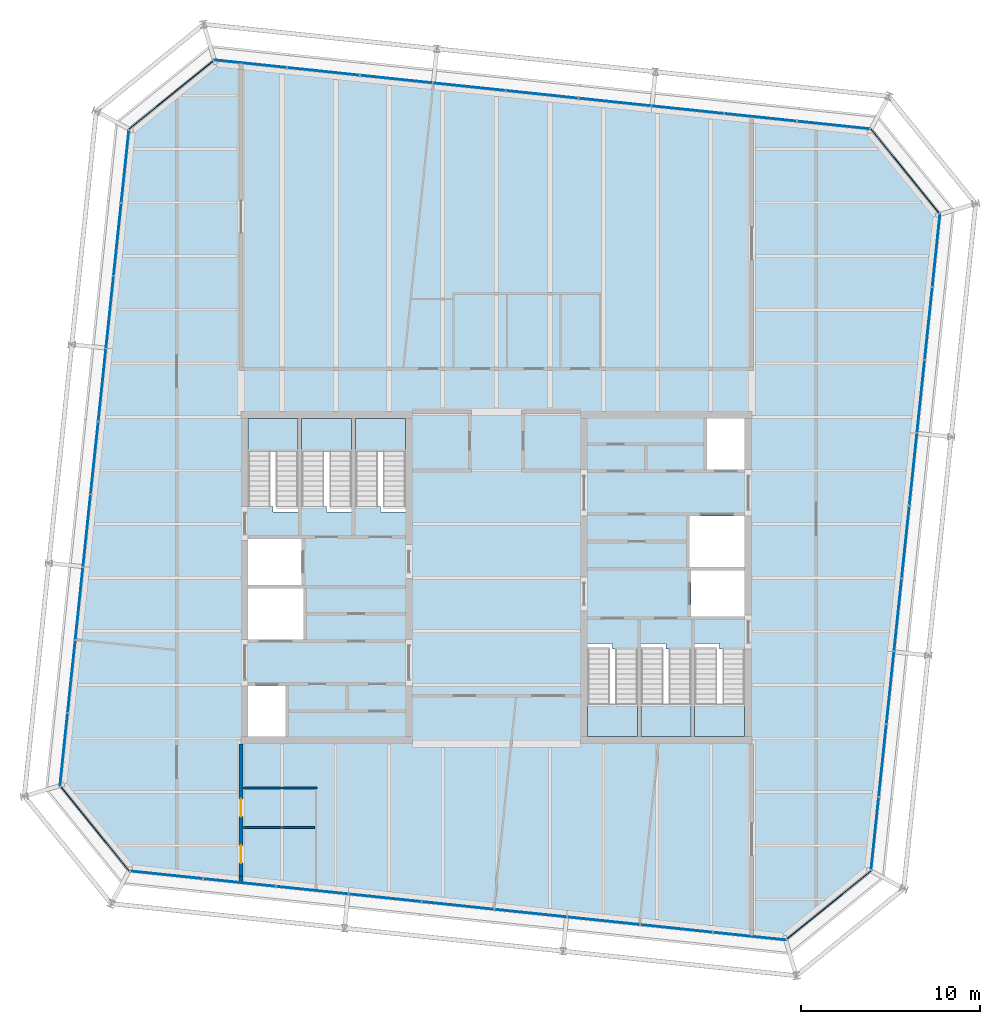
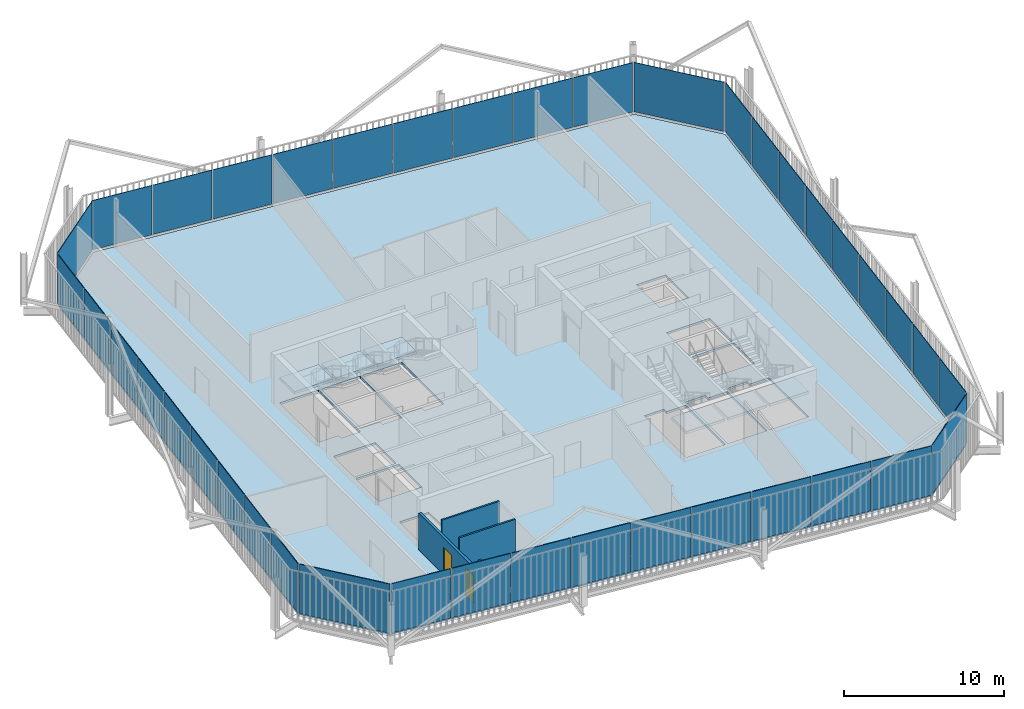
# One storey, part 16 of 21: 40 plates, 7 slabs, 4 walls, 2 doors, 2 openings, 14 elements without a shape of their own.
"""IFC4 building model written with IfcOpenShell, lengths in metres."""

from ifc_helpers import new_model, si_unit, direction, frame, frame_2d, origin, place, context, subcontext, project, spatial, polyline, rectangle, outline, extrude, material, layer, layer_set, type_object, element, fill, aggregate, save


model = new_model("IFC4")

# Units and contexts
model_context = context("Model", 3, precision=1e-05, world=origin(), true_north=direction((0.0, 1.0)))
body_context = subcontext(model_context, "Body", "Model", "MODEL_VIEW")
ifc_project = project(units=[si_unit("LENGTHUNIT", "METRE"), si_unit("AREAUNIT", "SQUARE_METRE"), si_unit("VOLUMEUNIT", "CUBIC_METRE"), si_unit("PLANEANGLEUNIT", "RADIAN"), si_unit("MASSUNIT", "GRAM", prefix="KILO")], contexts=[model_context])

# Site, building, storey
site_placement = place(None, origin())
site = spatial("IfcSite", under=ifc_project, at=site_placement, CompositionType="ELEMENT")
building_placement = place(site_placement, origin())
building = spatial("IfcBuilding", under=site, at=building_placement, Name="Millrace Tower", CompositionType="ELEMENT")
storey_placement = place(building_placement, frame((0.0, 0.0, 318.699951171875)))
storey = spatial("IfcBuildingStorey", under=building, at=storey_placement, Name="L73", CompositionType="ELEMENT", Elevation=318.699951171875)

# Curtain wall, plate
ifc_material_1 = material(Name="Aluminium and glass", Category="aluminium")
ifc_layer_1 = layer(ifc_material_1, 0.14990234375)
ifc_layer_set_1 = layer_set([ifc_layer_1], Name="Aluminium and glass")
curtain_wall_type = type_object("IfcCurtainWallType", Name="CW-1 office vision curtain wall", PredefinedType="NOTDEFINED", material=ifc_layer_set_1)
placement_1 = place(storey_placement, origin())
curtain_wall_1 = element("IfcCurtainWall", 1, at=placement_1, inside=storey, type_object=curtain_wall_type, Name="Curtain wall E-F01 L73", PredefinedType="NOTDEFINED")
ifc_material_2 = material(Name="Glass", Category="glass")
ifc_layer_2 = layer(ifc_material_2, 0.0439453125)
ifc_layer_set_2 = layer_set([ifc_layer_2], Name="Glass")
plate_type = type_object("IfcPlateType", Name="CW-1 office vision curtain wall triple-glazed vision panel", PredefinedType="CURTAIN_PANEL", material=ifc_layer_set_2)
placement_2 = place(storey_placement, frame((0.0, 0.0, 0.14013671875)))
plate_1 = element("IfcPlate", 2, at=placement_2, type_object=plate_type, Name="CW1 panel E-F01.1", PredefinedType="CURTAIN_PANEL", context=body_context, shape_type="SweptSolid", body=[
    extrude(outline(polyline([(-24.388427734375, -11.732421875), (-20.5771484375, -16.439208984375), (-20.554443359375, -16.397216796875), (-24.354248046875, -11.704833984375), (-24.388427734375, -11.732421875)])), origin(), (0.0, 0.0, 1.0), 3.760009765625),
])
aggregate(curtain_wall_1, [plate_1])

# Curtain wall, plates
curtain_wall_2 = element("IfcCurtainWall", 3, at=placement_1, inside=storey, type_object=curtain_wall_type, Name="Curtain wall E-F02 L73", PredefinedType="NOTDEFINED")
plate_2 = element("IfcPlate", 4, at=placement_2, type_object=plate_type, Name="CW1 panel E-F02.1", PredefinedType="CURTAIN_PANEL", context=body_context, shape_type="SweptSolid", body=[
    extrude(outline(polyline([(-20.472412109375, -16.4501953125), (-16.45947265625, -16.871826171875), (-16.454833984375, -16.828125), (-20.4677734375, -16.40625), (-20.472412109375, -16.4501953125)])), origin(), (0.0, 0.0, 1.0), 3.760009765625),
])
plate_3 = element("IfcPlate", 5, at=placement_2, type_object=plate_type, Name="CW1 panel E-F02.2", PredefinedType="CURTAIN_PANEL", context=body_context, shape_type="SweptSolid", body=[
    extrude(outline(polyline([(-16.39501953125, -16.878662109375), (-12.382080078125, -17.300537109375), (-12.37744140625, -17.256591796875), (-16.390380859375, -16.8349609375), (-16.39501953125, -16.878662109375)])), origin(), (0.0, 0.0, 1.0), 3.760009765625),
])
plate_4 = element("IfcPlate", 6, at=placement_2, type_object=plate_type, Name="CW1 panel E-F02.3", PredefinedType="CURTAIN_PANEL", context=body_context, shape_type="SweptSolid", body=[
    extrude(outline(polyline([(-12.3173828125, -17.30712890625), (-8.304443359375, -17.72900390625), (-8.2998046875, -17.685302734375), (-12.312744140625, -17.263427734375), (-12.3173828125, -17.30712890625)])), origin(), (0.0, 0.0, 1.0), 3.760009765625),
])
plate_5 = element("IfcPlate", 7, at=placement_2, type_object=plate_type, Name="CW1 panel E-F02.4", PredefinedType="CURTAIN_PANEL", context=body_context, shape_type="SweptSolid", body=[
    extrude(outline(polyline([(-8.23974609375, -17.73583984375), (-4.22705078125, -18.157470703125), (-4.222412109375, -18.11376953125), (-8.235107421875, -17.692138671875), (-8.23974609375, -17.73583984375)])), origin(), (0.0, 0.0, 1.0), 3.760009765625),
])
plate_6 = element("IfcPlate", 8, at=placement_2, type_object=plate_type, Name="CW1 panel E-F02.5", PredefinedType="CURTAIN_PANEL", context=body_context, shape_type="SweptSolid", body=[
    extrude(outline(polyline([(-4.162353515625, -18.164306640625), (-0.1494140625, -18.586181640625), (-0.144775390625, -18.54248046875), (-4.15771484375, -18.12060546875), (-4.162353515625, -18.164306640625)])), origin(), (0.0, 0.0, 1.0), 3.760009765625),
])
plate_7 = element("IfcPlate", 9, at=placement_2, type_object=plate_type, Name="CW1 panel E-F02.6", PredefinedType="CURTAIN_PANEL", context=body_context, shape_type="SweptSolid", body=[
    extrude(outline(polyline([(-0.084716796875, -18.593017578125), (3.92822265625, -19.0146484375), (3.932861328125, -18.970947265625), (-0.080078125, -18.549072265625), (-0.084716796875, -18.593017578125)])), origin(), (0.0, 0.0, 1.0), 3.760009765625),
])
plate_8 = element("IfcPlate", 10, at=placement_2, type_object=plate_type, Name="CW1 panel E-F02.7", PredefinedType="CURTAIN_PANEL", context=body_context, shape_type="SweptSolid", body=[
    extrude(outline(polyline([(3.99267578125, -19.021484375), (8.005615234375, -19.443359375), (8.01025390625, -19.3994140625), (3.997314453125, -18.977783203125), (3.99267578125, -19.021484375)])), origin(), (0.0, 0.0, 1.0), 3.760009765625),
])
plate_9 = element("IfcPlate", 11, at=placement_2, type_object=plate_type, Name="CW1 panel E-F02.8", PredefinedType="CURTAIN_PANEL", context=body_context, shape_type="SweptSolid", body=[
    extrude(outline(polyline([(8.0703125, -19.449951171875), (12.083251953125, -19.871826171875), (12.087890625, -19.828125), (8.074951171875, -19.40625), (8.0703125, -19.449951171875)])), origin(), (0.0, 0.0, 1.0), 3.760009765625),
])
plate_10 = element("IfcPlate", 12, at=placement_2, type_object=plate_type, Name="CW1 panel E-F02.9", PredefinedType="CURTAIN_PANEL", context=body_context, shape_type="SweptSolid", body=[
    extrude(outline(polyline([(12.14794921875, -19.878662109375), (16.20068359375, -20.3046875), (16.187255859375, -20.259033203125), (12.152587890625, -19.8349609375), (12.14794921875, -19.878662109375)])), origin(), (0.0, 0.0, 1.0), 3.760009765625),
])
aggregate(curtain_wall_2, [plate_2, plate_3, plate_4, plate_5, plate_6, plate_7, plate_8, plate_9, plate_10])

# Curtain wall, plate
curtain_wall_3 = element("IfcCurtainWall", 13, at=placement_1, inside=storey, type_object=curtain_wall_type, Name="Curtain wall E-F03 L73", PredefinedType="NOTDEFINED")
plate_11 = element("IfcPlate", 14, at=placement_2, type_object=plate_type, Name="CW1 panel E-F03.1", PredefinedType="CURTAIN_PANEL", context=body_context, shape_type="SweptSolid", body=[
    extrude(outline(polyline([(16.282470703125, -20.23828125), (20.989013671875, -16.427001953125), (20.947265625, -16.404296875), (16.2548828125, -20.2041015625), (16.282470703125, -20.23828125)])), origin(), (0.0, 0.0, 1.0), 3.760009765625),
])
aggregate(curtain_wall_3, [plate_11])

# Curtain wall, plates
curtain_wall_4 = element("IfcCurtainWall", 15, at=placement_1, inside=storey, type_object=curtain_wall_type, Name="Curtain wall E-F04 L73", PredefinedType="NOTDEFINED")
plate_12 = element("IfcPlate", 16, at=placement_2, type_object=plate_type, Name="CW1 panel E-F04.1", PredefinedType="CURTAIN_PANEL", context=body_context, shape_type="SweptSolid", body=[
    extrude(outline(polyline([(21.0, -16.322509765625), (21.421875, -12.3095703125), (21.378173828125, -12.304931640625), (20.956298828125, -16.31787109375), (21.0, -16.322509765625)])), origin(), (0.0, 0.0, 1.0), 3.760009765625),
])
plate_13 = element("IfcPlate", 17, at=placement_2, type_object=plate_type, Name="CW1 panel E-F04.2", PredefinedType="CURTAIN_PANEL", context=body_context, shape_type="SweptSolid", body=[
    extrude(outline(polyline([(21.4287109375, -12.244873046875), (21.850341796875, -8.23193359375), (21.806640625, -8.227294921875), (21.385009765625, -12.240234375), (21.4287109375, -12.244873046875)])), origin(), (0.0, 0.0, 1.0), 3.760009765625),
])
plate_14 = element("IfcPlate", 18, at=placement_2, type_object=plate_type, Name="CW1 panel E-F04.3", PredefinedType="CURTAIN_PANEL", context=body_context, shape_type="SweptSolid", body=[
    extrude(outline(polyline([(21.857177734375, -8.16748046875), (22.279052734375, -4.154541015625), (22.2353515625, -4.14990234375), (21.8134765625, -8.162841796875), (21.857177734375, -8.16748046875)])), origin(), (0.0, 0.0, 1.0), 3.760009765625),
])
plate_15 = element("IfcPlate", 19, at=placement_2, type_object=plate_type, Name="CW1 panel E-F04.4", PredefinedType="CURTAIN_PANEL", context=body_context, shape_type="SweptSolid", body=[
    extrude(outline(polyline([(22.285888671875, -4.08984375), (22.70751953125, -0.076904296875), (22.663818359375, -0.072265625), (22.241943359375, -4.085205078125), (22.285888671875, -4.08984375)])), origin(), (0.0, 0.0, 1.0), 3.760009765625),
])
plate_16 = element("IfcPlate", 20, at=placement_2, type_object=plate_type, Name="CW1 panel E-F04.5", PredefinedType="CURTAIN_PANEL", context=body_context, shape_type="SweptSolid", body=[
    extrude(outline(polyline([(22.71435546875, -0.01220703125), (23.13623046875, 4.00048828125), (23.09228515625, 4.005126953125), (22.670654296875, -0.007568359375), (22.71435546875, -0.01220703125)])), origin(), (0.0, 0.0, 1.0), 3.760009765625),
])
plate_17 = element("IfcPlate", 21, at=placement_2, type_object=plate_type, Name="CW1 panel E-F04.6", PredefinedType="CURTAIN_PANEL", context=body_context, shape_type="SweptSolid", body=[
    extrude(outline(polyline([(23.142822265625, 4.065185546875), (23.564697265625, 8.078125), (23.52099609375, 8.082763671875), (23.09912109375, 4.06982421875), (23.142822265625, 4.065185546875)])), origin(), (0.0, 0.0, 1.0), 3.760009765625),
])
plate_18 = element("IfcPlate", 22, at=placement_2, type_object=plate_type, Name="CW1 panel E-F04.7", PredefinedType="CURTAIN_PANEL", context=body_context, shape_type="SweptSolid", body=[
    extrude(outline(polyline([(23.571533203125, 8.142822265625), (23.9931640625, 12.15576171875), (23.949462890625, 12.160400390625), (23.52783203125, 8.1474609375), (23.571533203125, 8.142822265625)])), origin(), (0.0, 0.0, 1.0), 3.760009765625),
])
plate_19 = element("IfcPlate", 23, at=placement_2, type_object=plate_type, Name="CW1 panel E-F04.8", PredefinedType="CURTAIN_PANEL", context=body_context, shape_type="SweptSolid", body=[
    extrude(outline(polyline([(24.0, 12.22021484375), (24.421875, 16.233154296875), (24.378173828125, 16.23779296875), (23.956298828125, 12.224853515625), (24.0, 12.22021484375)])), origin(), (0.0, 0.0, 1.0), 3.760009765625),
])
plate_20 = element("IfcPlate", 24, at=placement_2, type_object=plate_type, Name="CW1 panel E-F04.9", PredefinedType="CURTAIN_PANEL", context=body_context, shape_type="SweptSolid", body=[
    extrude(outline(polyline([(24.4287109375, 16.2978515625), (24.8544921875, 20.350830078125), (24.808837890625, 20.337158203125), (24.384765625, 16.302490234375), (24.4287109375, 16.2978515625)])), origin(), (0.0, 0.0, 1.0), 3.760009765625),
])
aggregate(curtain_wall_4, [plate_12, plate_13, plate_14, plate_15, plate_16, plate_17, plate_18, plate_19, plate_20])

# Curtain wall, plate
curtain_wall_5 = element("IfcCurtainWall", 25, at=placement_1, inside=storey, type_object=curtain_wall_type, Name="Curtain wall E-F05 L73", PredefinedType="NOTDEFINED")
plate_21 = element("IfcPlate", 26, at=placement_2, type_object=plate_type, Name="CW1 panel E-F05.1", PredefinedType="CURTAIN_PANEL", context=body_context, shape_type="SweptSolid", body=[
    extrude(outline(polyline([(24.788330078125, 20.432373046875), (20.97705078125, 25.13916015625), (20.954345703125, 25.09716796875), (24.754150390625, 20.40478515625), (24.788330078125, 20.432373046875)])), origin(), (0.0, 0.0, 1.0), 3.760009765625),
])
aggregate(curtain_wall_5, [plate_21])

# Curtain wall, plates
curtain_wall_6 = element("IfcCurtainWall", 27, at=placement_1, inside=storey, type_object=curtain_wall_type, Name="Curtain wall E-F06 L73", PredefinedType="NOTDEFINED")
plate_22 = element("IfcPlate", 28, at=placement_2, type_object=plate_type, Name="CW1 panel E-F06.1", PredefinedType="CURTAIN_PANEL", context=body_context, shape_type="SweptSolid", body=[
    extrude(outline(polyline([(20.87255859375, 25.150146484375), (16.859619140625, 25.57177734375), (16.85498046875, 25.528076171875), (20.867919921875, 25.1064453125), (20.87255859375, 25.150146484375)])), origin(), (0.0, 0.0, 1.0), 3.760009765625),
])
plate_23 = element("IfcPlate", 29, at=placement_2, type_object=plate_type, Name="CW1 panel E-F06.2", PredefinedType="CURTAIN_PANEL", context=body_context, shape_type="SweptSolid", body=[
    extrude(outline(polyline([(16.794921875, 25.57861328125), (12.781982421875, 26.00048828125), (12.77734375, 25.956787109375), (16.790283203125, 25.534912109375), (16.794921875, 25.57861328125)])), origin(), (0.0, 0.0, 1.0), 3.760009765625),
])
plate_24 = element("IfcPlate", 30, at=placement_2, type_object=plate_type, Name="CW1 panel E-F06.3", PredefinedType="CURTAIN_PANEL", context=body_context, shape_type="SweptSolid", body=[
    extrude(outline(polyline([(12.71728515625, 26.00732421875), (8.70458984375, 26.428955078125), (8.699951171875, 26.38525390625), (12.712646484375, 25.96337890625), (12.71728515625, 26.00732421875)])), origin(), (0.0, 0.0, 1.0), 3.760009765625),
])
plate_25 = element("IfcPlate", 31, at=placement_2, type_object=plate_type, Name="CW1 panel E-F06.4", PredefinedType="CURTAIN_PANEL", context=body_context, shape_type="SweptSolid", body=[
    extrude(outline(polyline([(8.639892578125, 26.435791015625), (4.626953125, 26.857666015625), (4.622314453125, 26.813720703125), (8.63525390625, 26.39208984375), (8.639892578125, 26.435791015625)])), origin(), (0.0, 0.0, 1.0), 3.760009765625),
])
plate_26 = element("IfcPlate", 32, at=placement_2, type_object=plate_type, Name="CW1 panel E-F06.5", PredefinedType="CURTAIN_PANEL", context=body_context, shape_type="SweptSolid", body=[
    extrude(outline(polyline([(4.562255859375, 26.8642578125), (0.54931640625, 27.2861328125), (0.544677734375, 27.242431640625), (4.5576171875, 26.820556640625), (4.562255859375, 26.8642578125)])), origin(), (0.0, 0.0, 1.0), 3.760009765625),
])
plate_27 = element("IfcPlate", 33, at=placement_2, type_object=plate_type, Name="CW1 panel E-F06.6", PredefinedType="CURTAIN_PANEL", context=body_context, shape_type="SweptSolid", body=[
    extrude(outline(polyline([(0.48486328125, 27.29296875), (-3.528076171875, 27.714599609375), (-3.53271484375, 27.6708984375), (0.480224609375, 27.249267578125), (0.48486328125, 27.29296875)])), origin(), (0.0, 0.0, 1.0), 3.760009765625),
])
plate_28 = element("IfcPlate", 34, at=placement_2, type_object=plate_type, Name="CW1 panel E-F06.7", PredefinedType="CURTAIN_PANEL", context=body_context, shape_type="SweptSolid", body=[
    extrude(outline(polyline([(-3.5927734375, 27.721435546875), (-7.605712890625, 28.143310546875), (-7.6103515625, 28.099609375), (-3.597412109375, 27.677734375), (-3.5927734375, 27.721435546875)])), origin(), (0.0, 0.0, 1.0), 3.760009765625),
])
plate_29 = element("IfcPlate", 35, at=placement_2, type_object=plate_type, Name="CW1 panel E-F06.8", PredefinedType="CURTAIN_PANEL", context=body_context, shape_type="SweptSolid", body=[
    extrude(outline(polyline([(-7.67041015625, 28.150146484375), (-11.68310546875, 28.57177734375), (-11.687744140625, 28.528076171875), (-7.675048828125, 28.106201171875), (-7.67041015625, 28.150146484375)])), origin(), (0.0, 0.0, 1.0), 3.760009765625),
])
plate_30 = element("IfcPlate", 36, at=placement_2, type_object=plate_type, Name="CW1 panel E-F06.9", PredefinedType="CURTAIN_PANEL", context=body_context, shape_type="SweptSolid", body=[
    extrude(outline(polyline([(-11.747802734375, 28.57861328125), (-15.80078125, 29.004638671875), (-15.787109375, 28.958984375), (-11.75244140625, 28.534912109375), (-11.747802734375, 28.57861328125)])), origin(), (0.0, 0.0, 1.0), 3.760009765625),
])
aggregate(curtain_wall_6, [plate_22, plate_23, plate_24, plate_25, plate_26, plate_27, plate_28, plate_29, plate_30])

# Curtain wall, plate
curtain_wall_7 = element("IfcCurtainWall", 37, at=placement_1, inside=storey, type_object=curtain_wall_type, Name="Curtain wall E-F07 L73", PredefinedType="NOTDEFINED")
plate_31 = element("IfcPlate", 38, at=placement_2, type_object=plate_type, Name="CW1 panel E-F07.1", PredefinedType="CURTAIN_PANEL", context=body_context, shape_type="SweptSolid", body=[
    extrude(outline(polyline([(-15.882568359375, 28.9384765625), (-20.589111328125, 25.126953125), (-20.547119140625, 25.104248046875), (-15.854736328125, 28.904296875), (-15.882568359375, 28.9384765625)])), origin(), (0.0, 0.0, 1.0), 3.760009765625),
])
aggregate(curtain_wall_7, [plate_31])

# Curtain wall, plates
curtain_wall_8 = element("IfcCurtainWall", 39, at=placement_1, inside=storey, type_object=curtain_wall_type, Name="Curtain wall E-F08 L73", PredefinedType="NOTDEFINED")
plate_32 = element("IfcPlate", 40, at=placement_2, type_object=plate_type, Name="CW1 panel E-F08.1", PredefinedType="CURTAIN_PANEL", context=body_context, shape_type="SweptSolid", body=[
    extrude(outline(polyline([(-20.60009765625, 25.0224609375), (-21.02197265625, 21.009521484375), (-20.97802734375, 21.0048828125), (-20.556396484375, 25.017822265625), (-20.60009765625, 25.0224609375)])), origin(), (0.0, 0.0, 1.0), 3.760009765625),
])
plate_33 = element("IfcPlate", 41, at=placement_2, type_object=plate_type, Name="CW1 panel E-F08.2", PredefinedType="CURTAIN_PANEL", context=body_context, shape_type="SweptSolid", body=[
    extrude(outline(polyline([(-21.028564453125, 20.94482421875), (-21.450439453125, 16.93212890625), (-21.40673828125, 16.927490234375), (-20.98486328125, 20.9404296875), (-21.028564453125, 20.94482421875)])), origin(), (0.0, 0.0, 1.0), 3.760009765625),
])
plate_34 = element("IfcPlate", 42, at=placement_2, type_object=plate_type, Name="CW1 panel E-F08.3", PredefinedType="CURTAIN_PANEL", context=body_context, shape_type="SweptSolid", body=[
    extrude(outline(polyline([(-21.457275390625, 16.867431640625), (-21.87890625, 12.8544921875), (-21.835205078125, 12.849853515625), (-21.41357421875, 16.86279296875), (-21.457275390625, 16.867431640625)])), origin(), (0.0, 0.0, 1.0), 3.760009765625),
])
plate_35 = element("IfcPlate", 43, at=placement_2, type_object=plate_type, Name="CW1 panel E-F08.4", PredefinedType="CURTAIN_PANEL", context=body_context, shape_type="SweptSolid", body=[
    extrude(outline(polyline([(-21.8857421875, 12.789794921875), (-22.3076171875, 8.77685546875), (-22.263916015625, 8.772216796875), (-21.842041015625, 12.78515625), (-21.8857421875, 12.789794921875)])), origin(), (0.0, 0.0, 1.0), 3.760009765625),
])
plate_36 = element("IfcPlate", 44, at=placement_2, type_object=plate_type, Name="CW1 panel E-F08.5", PredefinedType="CURTAIN_PANEL", context=body_context, shape_type="SweptSolid", body=[
    extrude(outline(polyline([(-22.314453125, 8.71240234375), (-22.736083984375, 4.699462890625), (-22.6923828125, 4.69482421875), (-22.2705078125, 8.707763671875), (-22.314453125, 8.71240234375)])), origin(), (0.0, 0.0, 1.0), 3.760009765625),
])
plate_37 = element("IfcPlate", 45, at=placement_2, type_object=plate_type, Name="CW1 panel E-F08.6", PredefinedType="CURTAIN_PANEL", context=body_context, shape_type="SweptSolid", body=[
    extrude(outline(polyline([(-22.742919921875, 4.634765625), (-23.164794921875, 0.621826171875), (-23.120849609375, 0.6171875), (-22.69921875, 4.630126953125), (-22.742919921875, 4.634765625)])), origin(), (0.0, 0.0, 1.0), 3.760009765625),
])
plate_38 = element("IfcPlate", 46, at=placement_2, type_object=plate_type, Name="CW1 panel E-F08.7", PredefinedType="CURTAIN_PANEL", context=body_context, shape_type="SweptSolid", body=[
    extrude(outline(polyline([(-23.17138671875, 0.55712890625), (-23.59326171875, -3.45556640625), (-23.549560546875, -3.460205078125), (-23.127685546875, 0.552490234375), (-23.17138671875, 0.55712890625)])), origin(), (0.0, 0.0, 1.0), 3.760009765625),
])
plate_39 = element("IfcPlate", 47, at=placement_2, type_object=plate_type, Name="CW1 panel E-F08.8", PredefinedType="CURTAIN_PANEL", context=body_context, shape_type="SweptSolid", body=[
    extrude(outline(polyline([(-23.60009765625, -3.520263671875), (-24.021728515625, -7.533203125), (-23.97802734375, -7.537841796875), (-23.556396484375, -3.52490234375), (-23.60009765625, -3.520263671875)])), origin(), (0.0, 0.0, 1.0), 3.760009765625),
])
plate_40 = element("IfcPlate", 48, at=placement_2, type_object=plate_type, Name="CW1 panel E-F08.9", PredefinedType="CURTAIN_PANEL", context=body_context, shape_type="SweptSolid", body=[
    extrude(outline(polyline([(-24.028564453125, -7.597900390625), (-24.45458984375, -11.650634765625), (-24.408935546875, -11.63720703125), (-23.98486328125, -7.6025390625), (-24.028564453125, -7.597900390625)])), origin(), (0.0, 0.0, 1.0), 3.760009765625),
])
aggregate(curtain_wall_8, [plate_32, plate_33, plate_34, plate_35, plate_36, plate_37, plate_38, plate_39, plate_40])

# Slab
ifc_material_3 = material(Name="Concrete C35 on steel deck", Category="concrete")
ifc_layer_3 = layer(ifc_material_3, 0.159912109375)
ifc_layer_set_3 = layer_set([ifc_layer_3], Name="Concrete C35 on steel deck")
slab_type_1 = type_object("IfcSlabType", Name="Composite floor slab 160 mm", PredefinedType="FLOOR", material=ifc_layer_set_3)
slab_1_placement = place(storey_placement, frame((0.0, 0.0, -0.159912109375)))
element("IfcSlab", 49, at=slab_1_placement, inside=storey, type_object=slab_type_1, Name="SL-E-L73-S1", PredefinedType="FLOOR", context=body_context, shape_type="SweptSolid", body=[
    extrude(outline(polyline([(-24.35400390625, -11.620849609375), (-20.52685546875, -16.346923828125), (16.1708984375, -20.203857421875), (20.896728515625, -16.376953125), (24.75390625, 20.32080078125), (20.927001953125, 25.046875), (-15.77099609375, 28.90380859375), (-20.496826171875, 25.076904296875), (-24.35400390625, -11.620849609375)]), holes=[polyline([(-13.89990234375, -8.89990234375), (-11.800048828125, -8.89990234375), (-11.800048828125, -6.050048828125), (-13.89990234375, -6.050048828125), (-13.89990234375, -8.89990234375)]), polyline([(-13.89990234375, -3.449951171875), (-10.800048828125, -3.449951171875), (-10.800048828125, -0.60009765625), (-13.89990234375, -0.60009765625), (-13.89990234375, -3.449951171875)]), polyline([(-13.89990234375, -0.39990234375), (-10.89990234375, -0.39990234375), (-10.89990234375, 2.179931640625), (-13.89990234375, 2.179931640625), (-13.89990234375, -0.39990234375)]), polyline([(-11.10009765625, 8.89990234375), (-12.5, 8.89990234375), (-13.89990234375, 8.89990234375), (-13.89990234375, 4.0), (-12.5, 4.0), (-12.5, 3.679931640625), (-11.10009765625, 3.679931640625), (-11.10009765625, 8.89990234375)]), polyline([(-8.10009765625, 8.89990234375), (-9.5, 8.89990234375), (-10.89990234375, 8.89990234375), (-10.89990234375, 4.0), (-9.5, 4.0), (-9.5, 3.679931640625), (-8.10009765625, 3.679931640625), (-8.10009765625, 8.89990234375)]), polyline([(-5.10009765625, 8.89990234375), (-6.5, 8.89990234375), (-7.89990234375, 8.89990234375), (-7.89990234375, 4.0), (-6.5, 4.0), (-6.5, 3.679931640625), (-5.10009765625, 3.679931640625), (-5.10009765625, 8.89990234375)]), polyline([(11.800048828125, 6.050048828125), (13.89990234375, 6.050048828125), (13.89990234375, 8.89990234375), (11.800048828125, 8.89990234375), (11.800048828125, 6.050048828125)]), polyline([(10.800048828125, 0.60009765625), (13.89990234375, 0.60009765625), (13.89990234375, 3.449951171875), (10.800048828125, 3.449951171875), (10.800048828125, 0.60009765625)]), polyline([(10.89990234375, -2.179931640625), (13.89990234375, -2.179931640625), (13.89990234375, 0.39990234375), (10.89990234375, 0.39990234375), (10.89990234375, -2.179931640625)]), polyline([(13.89990234375, -4.0), (12.5, -4.0), (12.5, -3.679931640625), (11.10009765625, -3.679931640625), (11.10009765625, -8.89990234375), (12.5, -8.89990234375), (13.89990234375, -8.89990234375), (13.89990234375, -4.0)]), polyline([(10.89990234375, -4.0), (9.5, -4.0), (9.5, -3.679931640625), (8.10009765625, -3.679931640625), (8.10009765625, -8.89990234375), (9.5, -8.89990234375), (10.89990234375, -8.89990234375), (10.89990234375, -4.0)]), polyline([(7.89990234375, -4.0), (6.5, -4.0), (6.5, -3.679931640625), (5.10009765625, -3.679931640625), (5.10009765625, -8.89990234375), (6.5, -8.89990234375), (7.89990234375, -8.89990234375), (7.89990234375, -4.0)])]), origin(), (0.0, 0.0, 1.0), 0.159912109375),
])

# Stair, slab
ifc_material_4 = material(Name="Concrete C35", Category="concrete")
stair_type = type_object("IfcStairType", Name="Exit stair", PredefinedType="HALF_TURN_STAIR", material=ifc_material_4)
stair_1 = element("IfcStair", 50, at=placement_1, inside=storey, type_object=stair_type, Name="Stair 1 W L73", PredefinedType="HALF_TURN_STAIR")
ifc_material_5 = material(Name="Concrete C40", Category="concrete")
ifc_layer_4 = layer(ifc_material_5, 0.199951171875)
ifc_layer_set_4 = layer_set([ifc_layer_4], Name="Concrete C40")
slab_type_2 = type_object("IfcSlabType", Name="Stair landing", PredefinedType="LANDING", material=ifc_layer_set_4)
placement_3 = place(storey_placement, frame((0.0, 0.0, 1.75)))
slab_2 = element("IfcSlab", 51, at=placement_3, type_object=slab_type_2, Name="ST12 landing 1", PredefinedType="LANDING", context=body_context, shape_type="SweptSolid", body=[
    extrude(outline(polyline([(-13.89990234375, 7.080078125), (-11.10009765625, 7.080078125), (-11.10009765625, 8.89990234375), (-13.89990234375, 8.89990234375), (-13.89990234375, 7.080078125)])), origin(), (0.0, 0.0, 1.0), 0.199951171875),
])
aggregate(stair_1, [slab_2])

stair_2 = element("IfcStair", 52, at=placement_1, inside=storey, type_object=stair_type, Name="Stair 2 W L73", PredefinedType="HALF_TURN_STAIR")
slab_3 = element("IfcSlab", 53, at=placement_3, type_object=slab_type_2, Name="ST12 landing 1", PredefinedType="LANDING", context=body_context, shape_type="SweptSolid", body=[
    extrude(outline(polyline([(-10.89990234375, 7.080078125), (-8.10009765625, 7.080078125), (-8.10009765625, 8.89990234375), (-10.89990234375, 8.89990234375), (-10.89990234375, 7.080078125)])), origin(), (0.0, 0.0, 1.0), 0.199951171875),
])
aggregate(stair_2, [slab_3])

stair_3 = element("IfcStair", 54, at=placement_1, inside=storey, type_object=stair_type, Name="Stair 3 W L73", PredefinedType="HALF_TURN_STAIR")
slab_4 = element("IfcSlab", 55, at=placement_3, type_object=slab_type_2, Name="ST12 landing 1", PredefinedType="LANDING", context=body_context, shape_type="SweptSolid", body=[
    extrude(outline(polyline([(-7.89990234375, 7.080078125), (-5.10009765625, 7.080078125), (-5.10009765625, 8.89990234375), (-7.89990234375, 8.89990234375), (-7.89990234375, 7.080078125)])), origin(), (0.0, 0.0, 1.0), 0.199951171875),
])
aggregate(stair_3, [slab_4])

stair_4 = element("IfcStair", 56, at=placement_1, inside=storey, type_object=stair_type, Name="Stair 1 E L73", PredefinedType="HALF_TURN_STAIR")
slab_5 = element("IfcSlab", 57, at=placement_3, type_object=slab_type_2, Name="ST12 landing 1", PredefinedType="LANDING", context=body_context, shape_type="SweptSolid", body=[
    extrude(outline(polyline([(11.10009765625, -8.89990234375), (13.89990234375, -8.89990234375), (13.89990234375, -7.080078125), (11.10009765625, -7.080078125), (11.10009765625, -8.89990234375)])), origin(), (0.0, 0.0, 1.0), 0.199951171875),
])
aggregate(stair_4, [slab_5])

stair_5 = element("IfcStair", 58, at=placement_1, inside=storey, type_object=stair_type, Name="Stair 2 E L73", PredefinedType="HALF_TURN_STAIR")
slab_6 = element("IfcSlab", 59, at=placement_3, type_object=slab_type_2, Name="ST12 landing 1", PredefinedType="LANDING", context=body_context, shape_type="SweptSolid", body=[
    extrude(outline(polyline([(8.10009765625, -8.89990234375), (10.89990234375, -8.89990234375), (10.89990234375, -7.080078125), (8.10009765625, -7.080078125), (8.10009765625, -8.89990234375)])), origin(), (0.0, 0.0, 1.0), 0.199951171875),
])
aggregate(stair_5, [slab_6])

stair_6 = element("IfcStair", 60, at=placement_1, inside=storey, type_object=stair_type, Name="Stair 3 E L73", PredefinedType="HALF_TURN_STAIR")
slab_7 = element("IfcSlab", 61, at=placement_3, type_object=slab_type_2, Name="ST12 landing 1", PredefinedType="LANDING", context=body_context, shape_type="SweptSolid", body=[
    extrude(outline(polyline([(5.10009765625, -8.89990234375), (7.89990234375, -8.89990234375), (7.89990234375, -7.080078125), (5.10009765625, -7.080078125), (5.10009765625, -8.89990234375)])), origin(), (0.0, 0.0, 1.0), 0.199951171875),
])
aggregate(stair_6, [slab_7])

# Wall
ifc_material_6 = material(Name="Masonry partition, fire-rated", Category="masonry")
ifc_layer_5 = layer(ifc_material_6, 0.199951171875)
ifc_layer_set_5 = layer_set([ifc_layer_5], Name="Masonry partition, fire-rated")
wall_type_1 = type_object("IfcWallType", Name="Corridor wall 200", PredefinedType="PARTITIONING", material=ifc_layer_set_5)
wall_1_placement = place(storey_placement, frame((-14.300048828125, -17.031494140625, 0.0), z_axis=(0.0, 0.0, 1.0), x_axis=(0.0, 1.0, 0.0)))
element("IfcWall", 62, at=wall_1_placement, inside=storey, type_object=wall_type_1, Name="Corridor wall L73", PredefinedType="PARTITIONING", context=body_context, shape_type="SweptSolid", body=[
    extrude(rectangle(XDim=0.339111328125, YDim=0.199951171875, at=frame_2d((0.16943359375, 0.0))), origin(), (0.0, 0.0, 1.0), 3.739990234375),
])

# Wall, openings, doors
wall_2_placement = place(storey_placement, frame((-14.300048828125, -16.6923828125, 0.0), z_axis=(0.0, 0.0, 1.0), x_axis=(0.0, 1.0, 0.0)))
wall_2 = element("IfcWall", 63, at=wall_2_placement, inside=storey, type_object=wall_type_1, Name="Corridor wall L73", PredefinedType="PARTITIONING", context=body_context, shape_type="SweptSolid", body=[
    extrude(rectangle(XDim=7.392333984375, YDim=0.199951171875, at=frame_2d((3.6962890625, 0.0))), origin(), (0.0, 0.0, 1.0), 2.81298828125),
])
opening_1_placement = place(wall_2_placement, frame((0.711181640625, 0.0, 0.0)))
opening_1 = element("IfcOpeningElement", 64, at=opening_1_placement, cuts=wall_2, Name="Opening 73-P009", PredefinedType="OPENING", context=body_context, shape_type="SweptSolid", body=[
    extrude(rectangle(XDim=1.0, YDim=2.10009765625, at=frame_2d((0.5, 1.050048828125))), frame((0.0, 0.10986328125, 0.0), z_axis=(0.0, -1.0, 0.0), x_axis=(1.0, 0.0, 0.0)), (0.0, 0.0, 1.0), 0.219970703125),
])
opening_2_placement = place(wall_2_placement, frame((3.311279296875, 0.0, 0.0)))
opening_2 = element("IfcOpeningElement", 65, at=opening_2_placement, cuts=wall_2, Name="Opening 73-P010", PredefinedType="OPENING", context=body_context, shape_type="SweptSolid", body=[
    extrude(rectangle(XDim=1.0, YDim=2.10009765625, at=frame_2d((0.5, 1.050048828125))), frame((0.0, 0.10986328125, 0.0), z_axis=(0.0, -1.0, 0.0), x_axis=(1.0, 0.0, 0.0)), (0.0, 0.0, 1.0), 0.219970703125),
])
ifc_material_7 = material(Name="Steel door set, fire-rated", Category="steel")
door_type = type_object("IfcDoorType", Name="Corridor door 1000 x 2100", OperationType="SINGLE_SWING_LEFT", PredefinedType="DOOR", material=ifc_material_7)
door_1_placement = place(opening_1_placement, frame((1.0, 0.0, 0.0), z_axis=(0.0, 0.0, 1.0), x_axis=(-1.0, 0.0, 0.0)))
door_1 = element("IfcDoor", 66, at=door_1_placement, inside=storey, type_object=door_type, Name="Door 73-P009", OperationType="SINGLE_SWING_RIGHT", OverallHeight=2.10009765625, OverallWidth=1.0, PredefinedType="DOOR", context=body_context, shape_type="SweptSolid", body=[
    extrude(rectangle(XDim=1.0, YDim=2.10009765625, at=frame_2d((0.5, 1.050048828125))), frame((0.0, 0.02490234375, 0.0), z_axis=(0.0, -1.0, 0.0), x_axis=(1.0, 0.0, 0.0)), (0.0, 0.0, 1.0), 0.050048828125),
])
fill(opening_1, door_1)
door_2_placement = place(opening_2_placement, frame((1.0, 0.0, 0.0), z_axis=(0.0, 0.0, 1.0), x_axis=(-1.0, 0.0, 0.0)))
door_2 = element("IfcDoor", 67, at=door_2_placement, inside=storey, type_object=door_type, Name="Door 73-P010", OperationType="SINGLE_SWING_LEFT", OverallHeight=2.10009765625, OverallWidth=1.0, PredefinedType="DOOR", context=body_context, shape_type="SweptSolid", body=[
    extrude(rectangle(XDim=1.0, YDim=2.10009765625, at=frame_2d((0.5, 1.050048828125))), frame((0.0, 0.02490234375, 0.0), z_axis=(0.0, -1.0, 0.0), x_axis=(1.0, 0.0, 0.0)), (0.0, 0.0, 1.0), 0.050048828125),
])
fill(opening_2, door_2)

# Walls
ifc_material_8 = material(Name="Gypsum board partition")
ifc_layer_6 = layer(ifc_material_8, 0.1201171875)
ifc_layer_set_6 = layer_set([ifc_layer_6], Name="Gypsum board partition")
wall_type_2 = type_object("IfcWallType", Name="Partition wall 120", PredefinedType="PARTITIONING", material=ifc_layer_set_6)
wall_3_placement = place(storey_placement, frame((-14.199951171875, -13.98095703125, 0.0), z_axis=(0.0, 0.0, 1.0), x_axis=(1.0, 0.0, 0.0)))
element("IfcWall", 68, at=wall_3_placement, inside=storey, type_object=wall_type_2, Name="Partition wall L73", PredefinedType="PARTITIONING", context=body_context, shape_type="SweptSolid", body=[
    extrude(rectangle(XDim=4.0400390625, YDim=0.1201171875, at=frame_2d((2.02001953125, 0.0))), origin(), (0.0, 0.0, 1.0), 3.739990234375),
])
wall_4_placement = place(storey_placement, frame((-14.199951171875, -11.781005859375, 0.0), z_axis=(0.0, 0.0, 1.0), x_axis=(1.0, 0.0, 0.0)))
element("IfcWall", 69, at=wall_4_placement, inside=storey, type_object=wall_type_2, Name="Partition wall L73", PredefinedType="PARTITIONING", context=body_context, shape_type="SweptSolid", body=[
    extrude(rectangle(XDim=4.159912109375, YDim=0.1201171875, at=frame_2d((2.080078125, 0.0))), origin(), (0.0, 0.0, 1.0), 3.739990234375),
])

save(model, "model.ifc")
